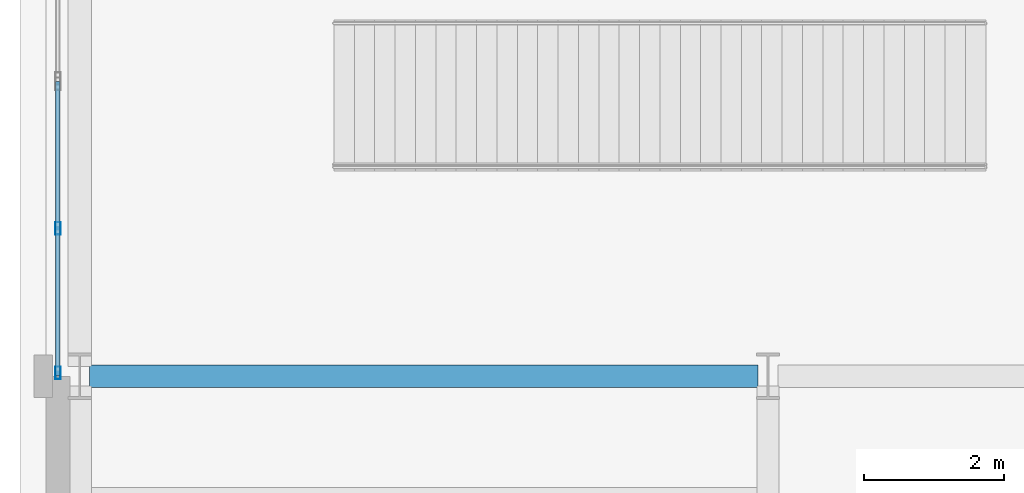
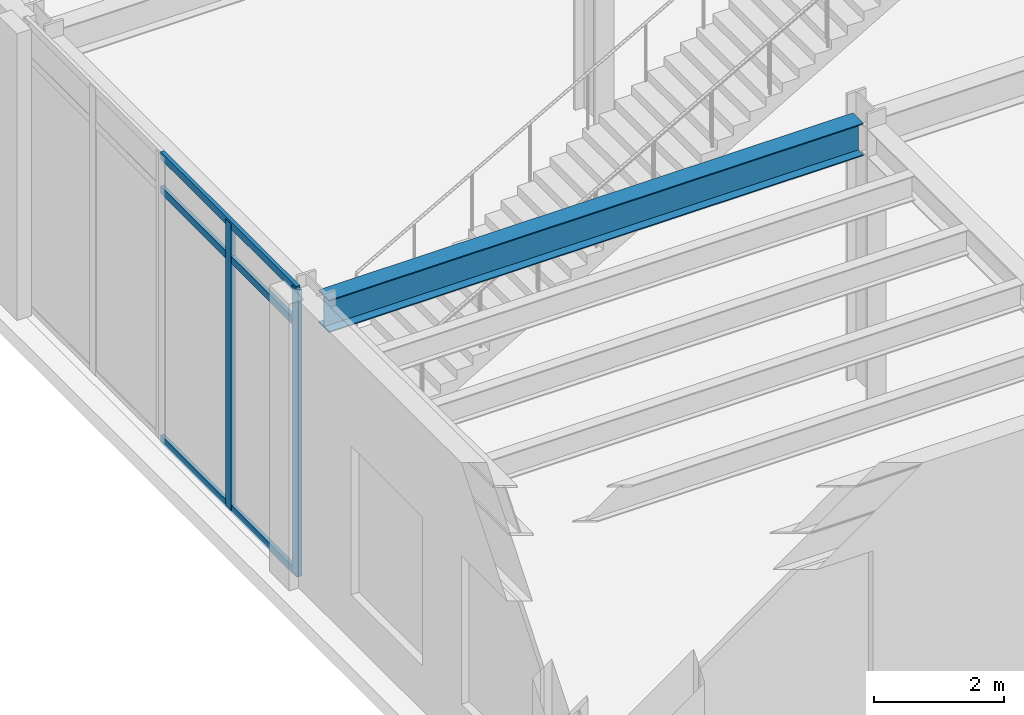
# One storey, part 17 of 94: 5 members, 1 beam, 1 element without a shape of its own.
"""IFC4 building model written with IfcOpenShell, lengths in metres."""

import ifcopenshell
import ifcopenshell.guid

model = None  # the IFC model being written
_history = None  # IfcOwnerHistory: only IFC2X3 demands one
_inside = {}  # id of a spatial element -> (the spatial element, [elements in it])
_under = {}  # id of a project, library or spatial element -> (it, [spatial elements below it])
_declared = {}  # id of a project -> (the project, [libraries it declares])
_typed = {}  # id of a type object -> (the type object, [elements of that type])
_made_of = {}  # id of a material, layer set ... -> (it, [elements and type objects made of it])


def new_model(schema):
    """Start an empty IFC model of exactly this schema.

    Asked for "IFC4X3", IfcOpenShell would pick the latest addendum, in which some entities
    have other attributes; the version numbers below select the first issue.
    IFC2X3 requires an IfcOwnerHistory on every rooted entity: one is made here for all.
    """
    global model, _history
    if schema == "IFC4X3":
        model = ifcopenshell.file(schema_version=(4, 3, 0, 0))
    else:
        model = ifcopenshell.file(schema=schema)
    _inside.clear()
    _under.clear()
    _declared.clear()
    _typed.clear()
    _made_of.clear()
    _history = None
    if model.schema == "IFC2X3":
        org = make("IfcOrganization", Name="unknown")
        user = make(
            "IfcPersonAndOrganization",
            ThePerson=make("IfcPerson", FamilyName="unknown"),
            TheOrganization=org,
        )
        app = make(
            "IfcApplication",
            ApplicationDeveloper=org,
            Version="unknown",
            ApplicationFullName="unknown",
            ApplicationIdentifier="unknown",
        )
        _history = make(
            "IfcOwnerHistory",
            OwningUser=user,
            OwningApplication=app,
            ChangeAction="ADDED",
            CreationDate=0,
        )
    return model


def make(cls, **values):
    """One entity of the class cls with the attributes given. An attribute that is None is left unset."""
    return model.create_entity(
        cls, **{name: value for name, value in values.items() if value is not None}
    )


def rooted(cls, **values):
    """An entity with a GlobalId (a new one), such as an element, a storey or a relation."""
    return make(cls, GlobalId=ifcopenshell.guid.new(), OwnerHistory=_history, **values)


def si_unit(unit_type, name, prefix=None):
    """IfcSIUnit, for example si_unit("LENGTHUNIT", "METRE", prefix="MILLI")."""
    return make("IfcSIUnit", UnitType=unit_type, Prefix=prefix, Name=name)


def assignment(units):
    """IfcUnitAssignment: the units of a project."""
    return None if units is None else make("IfcUnitAssignment", Units=units)


def point(xyz):
    """IfcCartesianPoint."""
    return None if xyz is None else make("IfcCartesianPoint", Coordinates=xyz)


def direction(xyz):
    """IfcDirection."""
    return None if xyz is None else make("IfcDirection", DirectionRatios=xyz)


def frame(location, z_axis=None, x_axis=None):
    """IfcAxis2Placement3D, a coordinate frame: its origin and axes. An axis left out is left unset."""
    return make(
        "IfcAxis2Placement3D",
        Location=point(location),
        Axis=direction(z_axis),
        RefDirection=direction(x_axis),
    )


def frame_2d(location, x_axis=None):
    """IfcAxis2Placement2D, a coordinate frame in the plane: its origin and x axis."""
    return make(
        "IfcAxis2Placement2D", Location=point(location), RefDirection=direction(x_axis)
    )


def origin():
    """The frame at (0, 0, 0) with its axes left unset."""
    return frame((0.0, 0.0, 0.0))


def origin_2d():
    """The frame at (0, 0) in the plane with its x axis left unset."""
    return frame_2d((0.0, 0.0))


def place(relative_to, where):
    """IfcLocalPlacement: puts the frame where relative to a parent placement (None: the world)."""
    return make(
        "IfcLocalPlacement", PlacementRelTo=relative_to, RelativePlacement=where
    )


def context(
    kind, dimensions, precision=None, world=None, true_north=None, identifier=None
):
    """IfcGeometricRepresentationContext, for example the 3D "Model" context."""
    return make(
        "IfcGeometricRepresentationContext",
        ContextIdentifier=identifier,
        ContextType=kind,
        CoordinateSpaceDimension=dimensions,
        Precision=precision,
        WorldCoordinateSystem=world,
        TrueNorth=true_north,
    )


def subcontext(parent, identifier, kind, view, scale=None):
    """IfcGeometricRepresentationSubContext, for example "Body" below "Model"."""
    return make(
        "IfcGeometricRepresentationSubContext",
        ContextIdentifier=identifier,
        ContextType=kind,
        ParentContext=parent,
        TargetScale=scale,
        TargetView=view,
    )


def project(units=None, contexts=None):
    """IfcProject with its units and contexts."""
    return rooted(
        "IfcProject",
        Name="project",
        RepresentationContexts=contexts,
        UnitsInContext=assignment(units),
    )


def spatial(cls, under=None, at=None, **own):
    """A site, building, storey or space (cls), placed at a placement, below another one or the project."""
    s = rooted(cls, ObjectPlacement=at, **own)
    if under is not None:
        _under.setdefault(under.id(), (under, []))[1].append(s)
    return s


def profile(cls, at=None, kind="AREA", **sizes):
    """A parametric profile (cls). Its sizes go by their IFC names, for example OverallWidth=200.0."""
    return make(cls, ProfileType=kind, Position=at, **sizes)


def hollow_rectangle(**sizes):
    """IfcRectangleHollowProfileDef."""
    return profile("IfcRectangleHollowProfileDef", **sizes)


def i_section(**sizes):
    """IfcIShapeProfileDef."""
    return profile("IfcIShapeProfileDef", **sizes)


def extrude(swept, where, along, depth):
    """IfcExtrudedAreaSolid: the profile swept, set in the frame where, extruded along a direction by depth."""
    return make(
        "IfcExtrudedAreaSolid",
        SweptArea=swept,
        Position=where,
        ExtrudedDirection=direction(along),
        Depth=depth,
    )


def shape(context_of_items, identifier, shape_type, items):
    """IfcShapeRepresentation: the items that make up one representation, for example the "Body"."""
    return make(
        "IfcShapeRepresentation",
        ContextOfItems=context_of_items,
        RepresentationIdentifier=identifier,
        RepresentationType=shape_type,
        Items=items,
    )


def material(Name=None, Category=None):
    """IfcMaterial."""
    return make("IfcMaterial", Name=Name, Category=Category)


def layer(
    of_material, thickness, ventilated=None, Name=None, Category=None, Priority=None
):
    """IfcMaterialLayer: one layer of a wall or slab, of a material (None: an air gap)."""
    return make(
        "IfcMaterialLayer",
        Material=of_material,
        LayerThickness=thickness,
        IsVentilated=ventilated,
        Name=Name,
        Category=Category,
        Priority=Priority,
    )


def layer_set(layers, Name=None):
    """IfcMaterialLayerSet."""
    return make("IfcMaterialLayerSet", MaterialLayers=layers, LayerSetName=Name)


def material_profile(
    of_material, cross_section, Name=None, Category=None, Priority=None
):
    """IfcMaterialProfile: a cross section and its material."""
    return make(
        "IfcMaterialProfile",
        Name=Name,
        Material=of_material,
        Profile=cross_section,
        Priority=Priority,
        Category=Category,
    )


def profile_set(profiles, Name=None, composite=None):
    """IfcMaterialProfileSet."""
    return make(
        "IfcMaterialProfileSet",
        Name=Name,
        MaterialProfiles=profiles,
        CompositeProfile=composite,
    )


def made_of(thing, what):
    """Note that an element or type object is made of a material, layer set ...; save() writes the relation."""
    if what is not None:
        _made_of.setdefault(what.id(), (what, []))[1].append(thing)
    return thing


def type_object(cls, material=None, **own):
    """A type object (cls), such as IfcWallType, which elements share."""
    return made_of(rooted(cls, **own), material)


def element(
    cls,
    number,
    at=None,
    inside=None,
    cuts=None,
    type_object=None,
    material=None,
    context=None,
    identifier="Body",
    shape_type=None,
    held_by="IfcProductDefinitionShape",
    body=None,
    shapes=None,
    **own,
):
    """One element of the class cls, such as IfcWall. Its Tag is "e" and its number.

    at: its placement. inside: the storey or other place that contains it. cuts: it is an
    opening in that element (IfcRelVoidsElement). A single representation is given by context,
    identifier, shape_type and body (its items); several are given by shapes. held_by: the class
    of the entity that holds the representations. save() writes the other relations.
    """
    e = rooted(cls, Tag="e%d" % number, ObjectPlacement=at, **own)
    if body is not None:
        shapes = [shape(context, identifier, shape_type, body)]
    if shapes is not None:
        e.Representation = make(held_by, Representations=shapes)
    if inside is not None:
        _inside.setdefault(inside.id(), (inside, []))[1].append(e)
    if cuts is not None:
        rooted(
            "IfcRelVoidsElement", RelatingBuildingElement=cuts, RelatedOpeningElement=e
        )
    if type_object is not None:
        _typed.setdefault(type_object.id(), (type_object, []))[1].append(e)
    return made_of(e, material)


def aggregate(whole, parts):
    """IfcRelAggregates: a whole, such as a stair, and the parts it consists of."""
    return rooted("IfcRelAggregates", RelatingObject=whole, RelatedObjects=parts)


def save(model, path):
    """Write the relations noted so far, then the file.

    IfcRelAggregates (storeys below a building ...), IfcRelContainedInSpatialStructure (elements
    in a storey), IfcRelDefinesByType, IfcRelAssociatesMaterial and IfcRelDeclares: one each for
    every whole, place, type object, material and project.
    """
    for whole, parts in _under.values():
        aggregate(whole, parts)
    for where, things in _inside.values():
        rooted(
            "IfcRelContainedInSpatialStructure",
            RelatedElements=things,
            RelatingStructure=where,
        )
    for kind, things in _typed.values():
        rooted("IfcRelDefinesByType", RelatedObjects=things, RelatingType=kind)
    for what, things in _made_of.values():
        rooted("IfcRelAssociatesMaterial", RelatedObjects=things, RelatingMaterial=what)
    for by, libraries in _declared.values():
        rooted("IfcRelDeclares", RelatingContext=by, RelatedDefinitions=libraries)
    model.write(path)


model = new_model("IFC4")

# Units and contexts
model_context = context("Model", 3, precision=1e-05, world=origin(), true_north=direction((0.0, 1.0)))
body_context = subcontext(model_context, "Body", "Model", "MODEL_VIEW")
ifc_project = project(units=[si_unit("LENGTHUNIT", "METRE"), si_unit("AREAUNIT", "SQUARE_METRE"), si_unit("VOLUMEUNIT", "CUBIC_METRE"), si_unit("PLANEANGLEUNIT", "RADIAN"), si_unit("MASSUNIT", "GRAM", prefix="KILO")], contexts=[model_context])

# Site, building, storey
site_placement = place(None, origin())
site = spatial("IfcSite", under=ifc_project, at=site_placement, CompositionType="ELEMENT")
building_placement = place(site_placement, origin())
building = spatial("IfcBuilding", under=site, at=building_placement, Name="Sollismere Congress Hotel", CompositionType="ELEMENT")
storey_placement = place(building_placement, origin())
storey = spatial("IfcBuildingStorey", under=building, at=storey_placement, Name="L00", CompositionType="ELEMENT", Elevation=0.0)

# Beam
ifc_material_1 = material(Name="Steel ASTM A992 Grade 50", Category="steel")
ifc_material_profile_1 = material_profile(ifc_material_1, i_section(OverallWidth=0.324951171875, OverallDepth=0.612060546875, WebThickness=0.0126953125, FlangeThickness=0.01904296875, at=origin_2d()), Name="W24X104")
ifc_profile_set_1 = profile_set([ifc_material_profile_1], Name="Steel ASTM A992 Grade 50")
beam_type = type_object("IfcBeamType", Name="BM-G24", PredefinedType="BEAM", material=ifc_profile_set_1)
beam_placement = place(storey_placement, frame((0.139892578125, 33.199951171875, 4.80908203125), z_axis=(1.0, 0.0, 0.0), x_axis=(0.0, 1.0, 0.0)))
element("IfcBeam", 1, at=beam_placement, inside=storey, type_object=beam_type, Name="Beam BM-L00-1165", PredefinedType="BEAM", context=body_context, shape_type="SweptSolid", body=[
    extrude(i_section(OverallWidth=0.324951171875, OverallDepth=0.612060546875, WebThickness=0.0126953125, FlangeThickness=0.01904296875, at=origin_2d()), origin(), (0.0, 0.0, 1.0), 9.52001953125),
])

# Curtain wall, members
ifc_material_2 = material(Name="Anodized Bronze Curtain Wall & Low-E Triple Glazing", Category="glass")
ifc_layer = layer(ifc_material_2, 0.199951171875, Name="Anodized Bronze Curtain Wall & Low-E Triple Glazing")
ifc_layer_set = layer_set([ifc_layer], Name="Anodized Bronze Curtain Wall & Low-E Triple Glazing")
curtain_wall_type = type_object("IfcCurtainWallType", Name="CW-GLZ36", PredefinedType="USERDEFINED", material=ifc_layer_set)
curtain_wall_placement = place(storey_placement, origin())
curtain_wall = element("IfcCurtainWall", 2, at=curtain_wall_placement, inside=storey, type_object=curtain_wall_type, Name="Unitised curtain wall CW-L00-121", ObjectType="UNITISED CURTAIN WALL", PredefinedType="USERDEFINED")
ifc_material_3 = material(Name="Anodized Aluminum 6063-T6", Category="aluminium")
ifc_material_profile_2 = material_profile(ifc_material_3, hollow_rectangle(XDim=0.074951171875, YDim=0.179931640625, WallThickness=0.0048828125, at=origin_2d()), Name="ALU180X75X5")
ifc_profile_set_2 = profile_set([ifc_material_profile_2], Name="Anodized Aluminum 6063-T6")
member_type_1 = type_object("IfcMemberType", Name="ML-CW180", PredefinedType="MULLION", material=ifc_profile_set_2)
member_1_placement = place(storey_placement, frame((-0.31005859375, 33.248046875, 0.0), z_axis=(0.0, 0.0, 1.0), x_axis=(-1.0, 0.0, 0.0)))
member_1 = element("IfcMember", 3, at=member_1_placement, type_object=member_type_1, Name="CWL-CW-L00-121-ML01", PredefinedType="MULLION", context=body_context, shape_type="SweptSolid", body=[
    extrude(hollow_rectangle(XDim=0.074951171875, YDim=0.179931640625, WallThickness=0.0048828125, at=origin_2d()), origin(), (0.0, 0.0, 1.0), 5.39990234375),
])
member_2_placement = place(storey_placement, frame((-0.31005859375, 35.304931640625, 0.0), z_axis=(0.0, 0.0, 1.0), x_axis=(-1.0, 0.0, 0.0)))
member_2 = element("IfcMember", 4, at=member_2_placement, type_object=member_type_1, Name="CWL-CW-L00-121-ML02", PredefinedType="MULLION", context=body_context, shape_type="SweptSolid", body=[
    extrude(hollow_rectangle(XDim=0.074951171875, YDim=0.179931640625, WallThickness=0.0048828125, at=origin_2d()), origin(), (0.0, 0.0, 1.0), 5.39990234375),
])
ifc_material_profile_3 = material_profile(ifc_material_3, hollow_rectangle(XDim=0.06494140625, YDim=0.139892578125, WallThickness=0.00390625, at=origin_2d()), Name="ALU140X65X4")
ifc_profile_set_3 = profile_set([ifc_material_profile_3], Name="Anodized Aluminum 6063-T6")
member_type_2 = type_object("IfcMemberType", Name="TR-CW150", PredefinedType="MEMBER", material=ifc_profile_set_3)
member_3_placement = place(storey_placement, frame((-0.31005859375, 33.2099609375, 0.032470703125), z_axis=(0.0, 1.0, 0.0), x_axis=(-1.0, 0.0, 0.0)))
member_3 = element("IfcMember", 5, at=member_3_placement, type_object=member_type_2, Name="CWL-CW-L00-121-TR1", PredefinedType="MEMBER", context=body_context, shape_type="SweptSolid", body=[
    extrude(hollow_rectangle(XDim=0.06494140625, YDim=0.139892578125, WallThickness=0.00390625, at=origin_2d()), origin(), (0.0, 0.0, 1.0), 4.18994140625),
])
member_4_placement = place(storey_placement, frame((-0.31005859375, 33.2099609375, 4.719970703125), z_axis=(0.0, 1.0, 0.0), x_axis=(-1.0, 0.0, 0.0)))
member_4 = element("IfcMember", 6, at=member_4_placement, type_object=member_type_2, Name="CWL-CW-L00-121-TR2", PredefinedType="MEMBER", context=body_context, shape_type="SweptSolid", body=[
    extrude(hollow_rectangle(XDim=0.06494140625, YDim=0.139892578125, WallThickness=0.00390625, at=origin_2d()), origin(), (0.0, 0.0, 1.0), 4.18994140625),
])
member_5_placement = place(storey_placement, frame((-0.31005859375, 33.2099609375, 5.367431640625), z_axis=(0.0, 1.0, 0.0), x_axis=(-1.0, 0.0, 0.0)))
member_5 = element("IfcMember", 7, at=member_5_placement, type_object=member_type_2, Name="CWL-CW-L00-121-TR3", PredefinedType="MEMBER", context=body_context, shape_type="SweptSolid", body=[
    extrude(hollow_rectangle(XDim=0.06494140625, YDim=0.139892578125, WallThickness=0.00390625, at=origin_2d()), origin(), (0.0, 0.0, 1.0), 4.18994140625),
])
aggregate(curtain_wall, [member_1, member_2, member_3, member_4, member_5])

save(model, "model.ifc")
